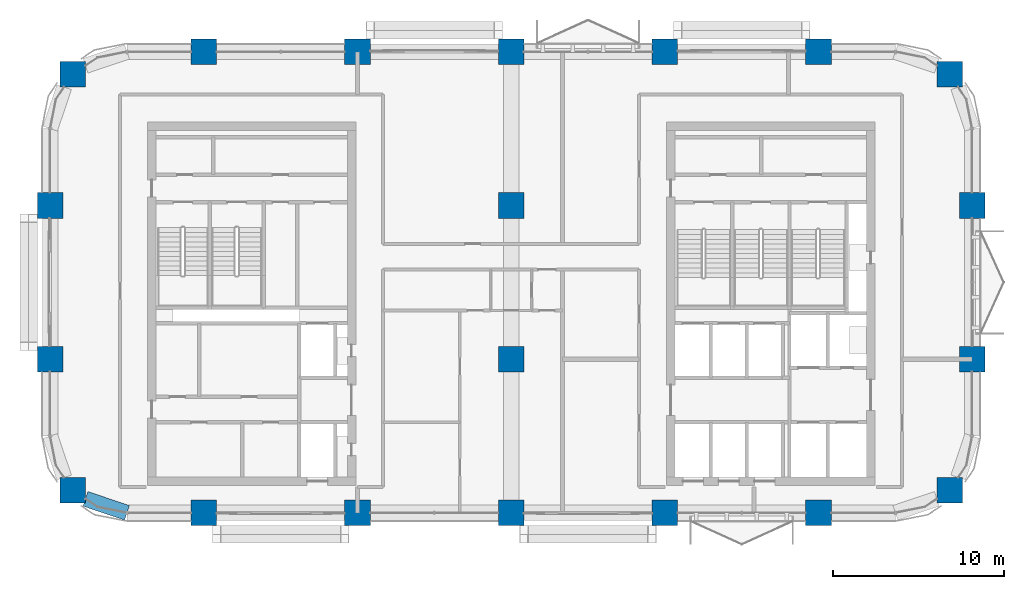
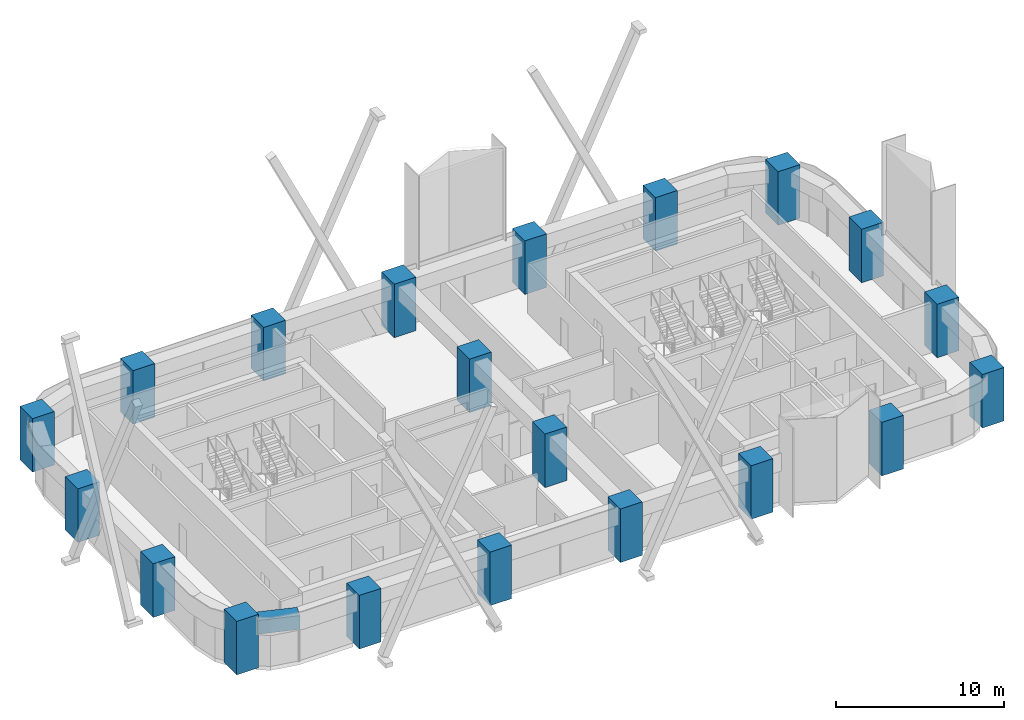
# One storey, part 1 of 14: 20 columns, 1 beam.
"""IFC4 building model written with IfcOpenShell, lengths in metres."""

from ifc_helpers import new_model, si_unit, direction, frame, origin, origin_2d, place, context, subcontext, project, spatial, rectangle, extrude, material, material_profile, profile_set, type_object, element, save


model = new_model("IFC4")

# Units and contexts
model_context = context("Model", 3, precision=1e-05, world=origin(), true_north=direction((0.0, 1.0)))
body_context = subcontext(model_context, "Body", "Model", "MODEL_VIEW")
ifc_project = project(units=[si_unit("LENGTHUNIT", "METRE"), si_unit("AREAUNIT", "SQUARE_METRE"), si_unit("VOLUMEUNIT", "CUBIC_METRE"), si_unit("PLANEANGLEUNIT", "RADIAN"), si_unit("MASSUNIT", "GRAM", prefix="KILO")], contexts=[model_context])

# Site, building, storey
site_placement = place(None, origin())
site = spatial("IfcSite", under=ifc_project, at=site_placement, CompositionType="ELEMENT")
building_placement = place(site_placement, origin())
building = spatial("IfcBuilding", under=site, at=building_placement, Name="Tessera Arch", CompositionType="ELEMENT")
storey_placement = place(building_placement, frame((0.0, 0.0, 150.5)))
storey = spatial("IfcBuildingStorey", under=building, at=storey_placement, Name="L35", CompositionType="ELEMENT", Elevation=150.5)

# Columns
ifc_material_1 = material(Name="Concrete C70/85", Category="concrete")
ifc_material_profile_1 = material_profile(ifc_material_1, rectangle(XDim=1.5, YDim=1.5, at=origin_2d()), Name="RC column 1500 x 1500 Concrete C70/85")
ifc_profile_set_1 = profile_set([ifc_material_profile_1], Name="Concrete C70/85")
column_type = type_object("IfcColumnType", Name="RC column 1500 x 1500 Concrete C70/85", PredefinedType="COLUMN", material=ifc_profile_set_1)
for number, where, z_axis, x_axis, name in (
    (1, (1.318115234375, 28.318115234375, 0.0), (0.0, 0.0, 1.0), (1.0, 0.0, 0.0), "Column C1D L35"),
    (2, (0.0, 36.0, 0.0), (0.0, 0.0, 1.0), (1.0, 0.0, 0.0), "Column C1E L35"),
    (3, (0.0, 45.0, 0.0), (0.0, 0.0, 1.0), (1.0, 0.0, 0.0), "Column C1F L35"),
    (4, (1.318115234375, 52.681884765625, 0.0), (0.0, 0.0, 1.0), (1.0, 0.0, 0.0), "Column C1G L35"),
    (5, (9.0, 27.0, 0.0), (0.0, 0.0, 1.0), (1.0, 0.0, 0.0), "Column C2D L35"),
    (6, (9.0, 54.0, 0.0), (0.0, 0.0, 1.0), (1.0, 0.0, 0.0), "Column C2G L35"),
    (7, (18.0, 27.0, 0.0), (0.0, 0.0, 1.0), (1.0, 0.0, 0.0), "Column C3D L35"),
    (8, (18.0, 54.0, 0.0), (0.0, 0.0, 1.0), (1.0, 0.0, 0.0), "Column C3G L35"),
    (9, (27.0, 27.0, 0.0), (0.0, 0.0, 1.0), (1.0, 0.0, 0.0), "Column C4D L35"),
    (10, (27.0, 36.0, 0.0), (0.0, 0.0, 1.0), (1.0, 0.0, 0.0), "Column C4E L35"),
    (11, (27.0, 45.0, 0.0), (0.0, 0.0, 1.0), (1.0, 0.0, 0.0), "Column C4F L35"),
    (12, (27.0, 54.0, 0.0), (0.0, 0.0, 1.0), (1.0, 0.0, 0.0), "Column C4G L35"),
    (13, (36.0, 27.0, 0.0), (0.0, 0.0, 1.0), (1.0, 0.0, 0.0), "Column C5D L35"),
    (14, (36.0, 54.0, 0.0), (0.0, 0.0, 1.0), (1.0, 0.0, 0.0), "Column C5G L35"),
    (15, (45.0, 27.0, 0.0), (0.0, 0.0, 1.0), (1.0, 0.0, 0.0), "Column C6D L35"),
    (16, (45.0, 54.0, 0.0), (0.0, 0.0, 1.0), (1.0, 0.0, 0.0), "Column C6G L35"),
    (17, (52.681884765625, 28.318115234375, 0.0), (0.0, 0.0, 1.0), (1.0, 0.0, 0.0), "Column C7D L35"),
    (18, (54.0, 36.0, 0.0), (0.0, 0.0, 1.0), (1.0, 0.0, 0.0), "Column C7E L35"),
    (19, (54.0, 45.0, 0.0), (0.0, 0.0, 1.0), (1.0, 0.0, 0.0), "Column C7F L35"),
    (20, (52.681884765625, 52.681884765625, 0.0), (0.0, 0.0, 1.0), (1.0, 0.0, 0.0), "Column C7G L35"),
):
    element("IfcColumn", number, at=place(storey_placement, frame(where, z_axis=z_axis, x_axis=x_axis)), inside=storey, type_object=column_type, Name=name, PredefinedType="COLUMN", context=body_context, shape_type="SweptSolid", body=[
        extrude(rectangle(XDim=1.5, YDim=1.5, at=origin_2d()), origin(), (0.0, 0.0, 1.0), 3.89990234375),
    ])

# Beam
ifc_material_2 = material(Name="Concrete C70/85", Category="concrete")
ifc_material_profile_2 = material_profile(ifc_material_2, rectangle(XDim=0.89990234375, YDim=1.0, at=origin_2d()), Name="RC spandrel beam 900 x 1000 Concrete C70/85")
ifc_profile_set_2 = profile_set([ifc_material_profile_2], Name="Concrete C70/85")
beam_type = type_object("IfcBeamType", Name="RC spandrel beam 900 x 1000 Concrete C70/85", PredefinedType="BEAM", material=ifc_profile_set_2)
beam_placement = place(storey_placement, frame((2.068115234375, 27.81689453125, 3.10009765625), z_axis=(0.947947973234, -0.31842525032, 0.0), x_axis=(0.31842525032, 0.947947973234, 0.0)))
element("IfcBeam", 21, at=beam_placement, inside=storey, type_object=beam_type, Name="Spandrel beam L35 S27.0/0.1", PredefinedType="BEAM", context=body_context, shape_type="SweptSolid", body=[
    extrude(rectangle(XDim=0.89990234375, YDim=1.0, at=origin_2d()), origin(), (0.0, 0.0, 1.0), 2.5654296875),
])

save(model, "model.ifc")
